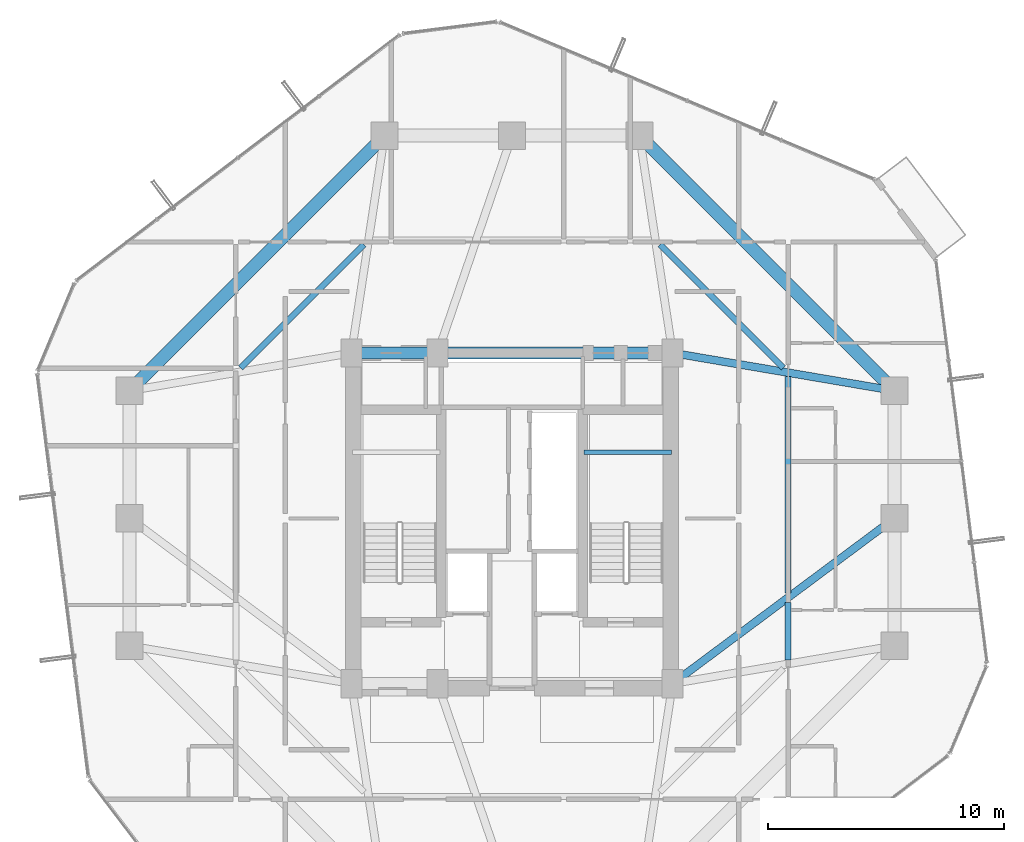
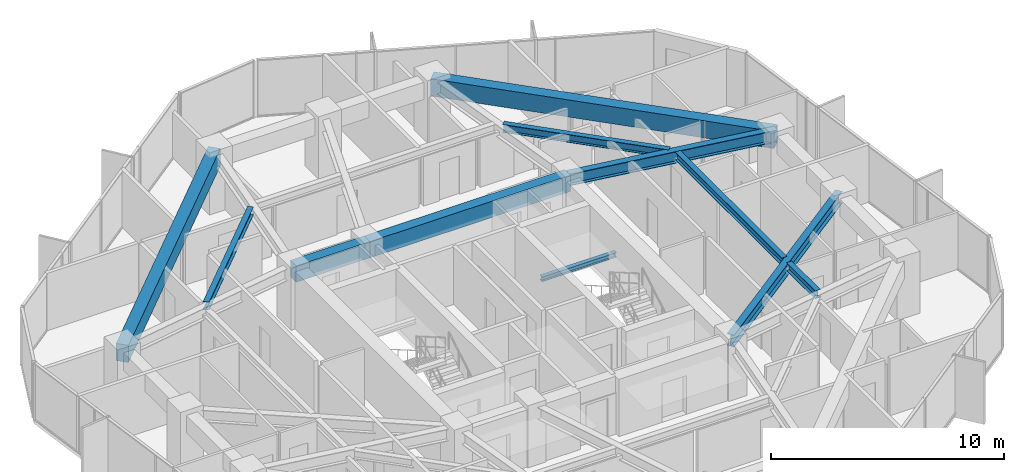
# One storey, part 14 of 33: 11 beams.
"""IFC4 building model written with IfcOpenShell, lengths in metres."""

from ifc_helpers import new_model, si_unit, direction, frame, origin, origin_2d, place, context, subcontext, project, spatial, rectangle, i_section, extrude, material, material_profile, profile_set, type_object, element, save


model = new_model("IFC4")

# Units and contexts
model_context = context("Model", 3, precision=1e-05, world=origin(), true_north=direction((0.0, 1.0)))
body_context = subcontext(model_context, "Body", "Model", "MODEL_VIEW")
ifc_project = project(units=[si_unit("LENGTHUNIT", "METRE"), si_unit("AREAUNIT", "SQUARE_METRE"), si_unit("VOLUMEUNIT", "CUBIC_METRE"), si_unit("PLANEANGLEUNIT", "RADIAN"), si_unit("MASSUNIT", "GRAM", prefix="KILO")], contexts=[model_context])

# Site, building, storey
site_placement = place(None, origin())
site = spatial("IfcSite", under=ifc_project, at=site_placement, CompositionType="ELEMENT")
building_placement = place(site_placement, origin())
building = spatial("IfcBuilding", under=site, at=building_placement, Name="Veraguas Prism Commons", CompositionType="ELEMENT")
storey_placement = place(building_placement, frame((0.0, 0.0, 152.25)))
storey = spatial("IfcBuildingStorey", under=building, at=storey_placement, Name="L43", CompositionType="ELEMENT", Elevation=152.25)

# Beams
ifc_material_1 = material(Name="Concrete C50/60", Category="concrete")
ifc_material_profile_1 = material_profile(ifc_material_1, rectangle(XDim=0.5, YDim=0.85009765625, at=origin_2d()), Name="RC500X850")
ifc_profile_set_1 = profile_set([ifc_material_profile_1], Name="Concrete C50/60")
beam_type_1 = type_object("IfcBeamType", Name="Core Coupling Beam RC 500x850", PredefinedType="BEAM", material=ifc_profile_set_1)
beam_1_placement = place(storey_placement, frame((17.199951171875, 31.0, 2.574951171875), z_axis=(1.0, 0.0, 0.0), x_axis=(0.0, 1.0, 0.0)))
element("IfcBeam", 1, at=beam_1_placement, inside=storey, type_object=beam_type_1, Name="Core Coupling Beam L43-CRN1", PredefinedType="BEAM", context=body_context, shape_type="SweptSolid", body=[
    extrude(rectangle(XDim=0.5, YDim=0.85009765625, at=origin_2d()), origin(), (0.0, 0.0, 1.0), 3.650146484375),
])
beam_2_placement = place(storey_placement, frame((20.85009765625, 31.0, 2.574951171875), z_axis=(1.0, 0.0, 0.0), x_axis=(0.0, 1.0, 0.0)))
element("IfcBeam", 2, at=beam_2_placement, inside=storey, type_object=beam_type_1, Name="Core Coupling Beam L43-CRN2", PredefinedType="BEAM", context=body_context, shape_type="SweptSolid", body=[
    extrude(rectangle(XDim=0.5, YDim=0.85009765625, at=origin_2d()), origin(), (0.0, 0.0, 1.0), 9.949951171875),
])
ifc_material_2 = material(Name="Steel ASTM A992 Grade 50", Category="steel")
ifc_material_profile_2 = material_profile(ifc_material_2, i_section(OverallWidth=0.260986328125, OverallDepth=0.419921875, WebThickness=0.01171875, FlangeThickness=0.019287109375, at=origin_2d()), Name="W410X114")
ifc_profile_set_2 = profile_set([ifc_material_profile_2], Name="Steel ASTM A992 Grade 50")
beam_type_2 = type_object("IfcBeamType", Name="Lower Floor Joist W410x114", PredefinedType="JOIST", material=ifc_profile_set_2)
beam_3_placement = place(storey_placement, frame((35.68798828125, 17.996337890625, 2.7900390625), z_axis=(0.0, 1.0, 0.0), x_axis=(-1.0, 0.0, 0.0)))
element("IfcBeam", 3, at=beam_3_placement, inside=storey, type_object=beam_type_2, Name="Composite Floor Joist L43-JS01", PredefinedType="JOIST", context=body_context, shape_type="SweptSolid", body=[
    extrude(i_section(OverallWidth=0.260986328125, OverallDepth=0.419921875, WebThickness=0.01171875, FlangeThickness=0.019287109375, at=origin_2d()), origin(), (0.0, 0.0, 1.0), 2.441650390625),
])
beam_4_placement = place(storey_placement, frame((35.68798828125, 20.842041015625, 2.7900390625), z_axis=(0.0, 1.0, 0.0), x_axis=(-1.0, 0.0, 0.0)))
element("IfcBeam", 4, at=beam_4_placement, inside=storey, type_object=beam_type_2, Name="Composite Floor Joist L43-JS02", PredefinedType="JOIST", context=body_context, shape_type="SweptSolid", body=[
    extrude(i_section(OverallWidth=0.260986328125, OverallDepth=0.419921875, WebThickness=0.01171875, FlangeThickness=0.019287109375, at=origin_2d()), origin(), (0.0, 0.0, 1.0), 9.16162109375),
])
for number, where, z_axis, x_axis, name in (
    (5, (35.489990234375, 30.365966796875, 2.7900390625), (-0.707090260193, 0.707123301794, 0.0), (-0.707123301794, -0.707090260193, 0.0), "Composite Floor Joist L43-JS03"),
    (6, (17.734619140625, 35.5908203125, 2.7900390625), (-0.707090260193, -0.707123301794, 0.0), (0.707123301794, -0.707090260193, 0.0), "Composite Floor Joist L43-JS06"),
):
    element("IfcBeam", number, at=place(storey_placement, frame(where, z_axis=z_axis, x_axis=x_axis)), inside=storey, type_object=beam_type_2, Name=name, PredefinedType="JOIST", context=body_context, shape_type="SweptSolid", body=[
        extrude(i_section(OverallWidth=0.260986328125, OverallDepth=0.419921875, WebThickness=0.01171875, FlangeThickness=0.019287109375, at=origin_2d()), origin(), (0.0, 0.0, 1.0), 7.388916015625),
    ])
ifc_material_profile_3 = material_profile(ifc_material_1, rectangle(XDim=0.550048828125, YDim=0.89990234375, at=origin_2d()), Name="RC550X900")
ifc_profile_set_3 = profile_set([ifc_material_profile_3], Name="Concrete C50/60")
beam_type_3 = type_object("IfcBeamType", Name="Perimeter Spandrel Lower RC 550x900", PredefinedType="SPANDREL", material=ifc_profile_set_3)
for number, where, z_axis, x_axis, name in (
    (7, (40.199951171875, 29.39990234375, 2.550048828125), (-0.707106781187, 0.707106781187, 0.0), (-0.707106781187, -0.707106781187, 0.0), "Perimeter Spandrel Beam L43-SP03"),
    (8, (18.60009765625, 40.199951171875, 2.550048828125), (-0.707106781187, -0.707106781187, 0.0), (0.707106781187, -0.707106781187, 0.0), "Perimeter Spandrel Beam L43-SP06"),
):
    element("IfcBeam", number, at=place(storey_placement, frame(where, z_axis=z_axis, x_axis=x_axis)), inside=storey, type_object=beam_type_3, Name=name, PredefinedType="SPANDREL", context=body_context, shape_type="SweptSolid", body=[
        extrude(rectangle(XDim=0.550048828125, YDim=0.89990234375, at=origin_2d()), origin(), (0.0, 0.0, 1.0), 15.273681640625),
    ])
ifc_material_profile_4 = material_profile(ifc_material_2, i_section(OverallWidth=0.202880859375, OverallDepth=0.251953125, WebThickness=0.008056640625, FlangeThickness=0.013427734375, at=origin_2d()), Name="W250X58")
ifc_profile_set_4 = profile_set([ifc_material_profile_4], Name="Steel ASTM A992 Grade 50")
beam_type_4 = type_object("IfcBeamType", Name="Structural Opening Lintel W250x58", PredefinedType="LINTEL", material=ifc_profile_set_4)
beam_5_placement = place(storey_placement, frame((27.050048828125, 26.800048828125, 1.299072265625), z_axis=(1.0, 0.0, 0.0), x_axis=(0.0, 1.0, 0.0)))
element("IfcBeam", 9, at=beam_5_placement, inside=storey, type_object=beam_type_4, Name="Stair ST-02 Half-Landing Support Beam L43-1", PredefinedType="LINTEL", context=body_context, shape_type="SweptSolid", body=[
    extrude(i_section(OverallWidth=0.202880859375, OverallDepth=0.251953125, WebThickness=0.008056640625, FlangeThickness=0.013427734375, at=origin_2d()), origin(), (0.0, 0.0, 1.0), 3.699951171875),
])
ifc_material_profile_5 = material_profile(ifc_material_2, i_section(OverallWidth=0.327880859375, OverallDepth=0.6220703125, WebThickness=0.015380859375, FlangeThickness=0.0244140625, at=origin_2d()), Name="W610X195")
ifc_profile_set_5 = profile_set([ifc_material_profile_5], Name="Steel ASTM A992 Grade 50")
beam_type_5 = type_object("IfcBeamType", Name="Zone 2 Radial Girder W610x195", PredefinedType="BEAM", material=ifc_profile_set_5)
beam_6_placement = place(storey_placement, frame((40.199951171875, 24.0, 2.68896484375), z_axis=(-0.802040137921, -0.597270137512, 0.0), x_axis=(0.597270137512, -0.802040137921, 0.0)))
element("IfcBeam", 10, at=beam_6_placement, inside=storey, type_object=beam_type_5, Name="Radial Floor Girder L43-RD02", PredefinedType="BEAM", context=body_context, shape_type="SweptSolid", body=[
    extrude(i_section(OverallWidth=0.327880859375, OverallDepth=0.6220703125, WebThickness=0.015380859375, FlangeThickness=0.0244140625, at=origin_2d()), origin(), (0.0, 0.0, 1.0), 11.719970703125),
])
beam_7_placement = place(storey_placement, frame((40.199951171875, 29.39990234375, 2.68896484375), z_axis=(-0.985819187151, 0.1678109956, 0.0), x_axis=(-0.1678109956, -0.985819187151, 0.0)))
element("IfcBeam", 11, at=beam_7_placement, inside=storey, type_object=beam_type_5, Name="Radial Floor Girder L43-RD03", PredefinedType="BEAM", context=body_context, shape_type="SweptSolid", body=[
    extrude(i_section(OverallWidth=0.327880859375, OverallDepth=0.6220703125, WebThickness=0.015380859375, FlangeThickness=0.0244140625, at=origin_2d()), origin(), (0.0, 0.0, 1.0), 9.53515625),
])

save(model, "model.ifc")
